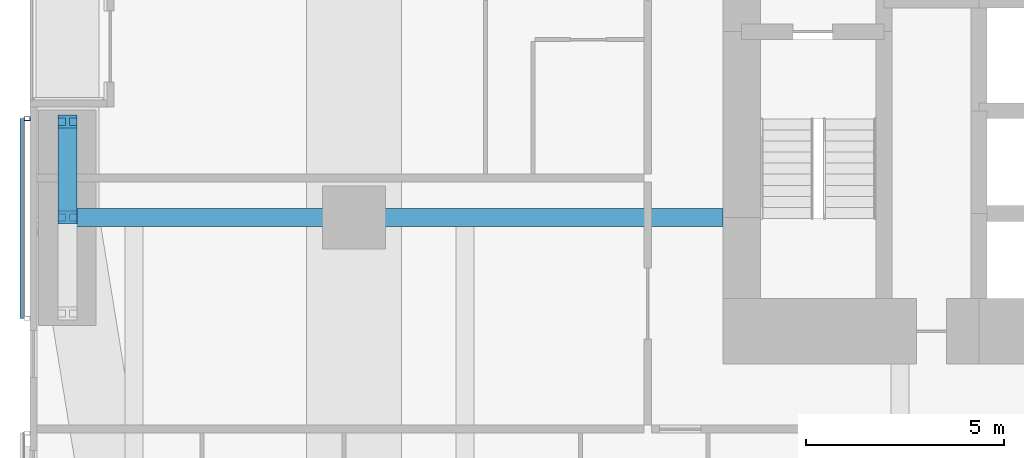
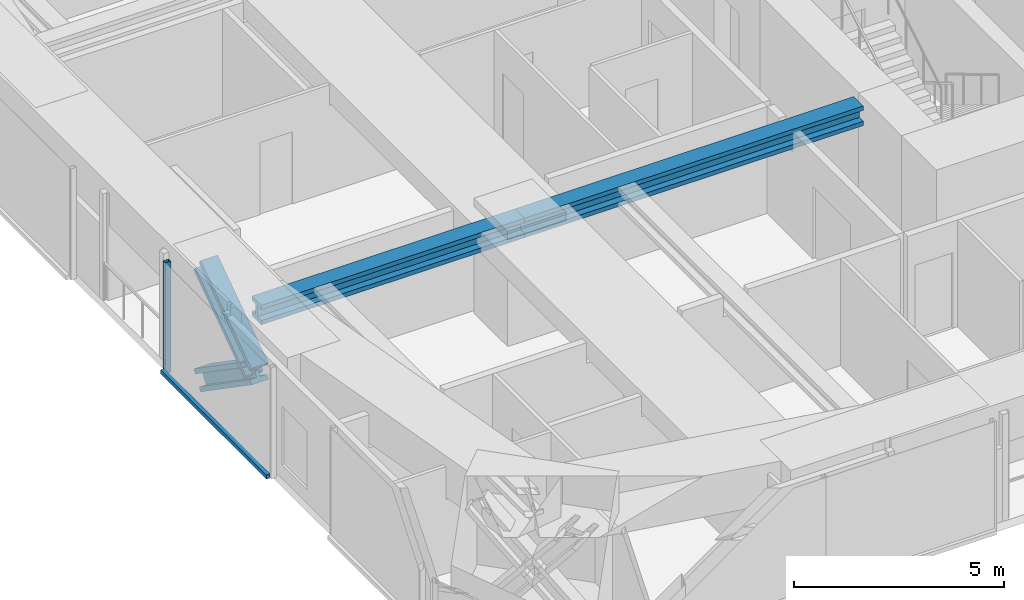
# One storey, part 3 of 23: 4 members, 2 beams, 1 element without a shape of its own.
"""IFC4 building model written with IfcOpenShell, lengths in metres."""

from ifc_helpers import new_model, si_unit, direction, frame, origin, origin_2d, place, context, subcontext, project, spatial, rectangle, hollow_rectangle, i_section, extrude, material, material_profile, profile_set, type_object, element, aggregate, save


model = new_model("IFC4")

# Units and contexts
model_context = context("Model", 3, precision=1e-05, world=origin(), true_north=direction((0.0, 1.0)))
body_context = subcontext(model_context, "Body", "Model", "MODEL_VIEW")
ifc_project = project(units=[si_unit("LENGTHUNIT", "METRE"), si_unit("AREAUNIT", "SQUARE_METRE"), si_unit("VOLUMEUNIT", "CUBIC_METRE"), si_unit("PLANEANGLEUNIT", "RADIAN"), si_unit("MASSUNIT", "GRAM", prefix="KILO")], contexts=[model_context])

# Site, building, storey
site_placement = place(None, origin())
site = spatial("IfcSite", under=ifc_project, at=site_placement, CompositionType="ELEMENT")
building_placement = place(site_placement, origin())
building = spatial("IfcBuilding", under=site, at=building_placement, Name="Jalousie Tower", CompositionType="ELEMENT")
storey_placement = place(building_placement, frame((0.0, 0.0, 34.39990234375)))
storey = spatial("IfcBuildingStorey", under=building, at=storey_placement, Name="L08", CompositionType="ELEMENT", Elevation=34.39990234375)

# Beams
ifc_material_1 = material(Name="Steel ASTM A992 Grade 50", Category="steel")
ifc_material_profile_1 = material_profile(ifc_material_1, i_section(OverallWidth=0.45458984375, OverallDepth=0.569091796875, WebThickness=0.077880859375, FlangeThickness=0.124755859375, at=origin_2d()), Name="W14X730")
ifc_profile_set_1 = profile_set([ifc_material_profile_1], Name="Steel ASTM A992 Grade 50")
beam_type = type_object("IfcBeamType", Name="LEAN COLLECTOR W14X730", PredefinedType="BEAM", material=ifc_profile_set_1)
beam_1_placement = place(storey_placement, frame((2.949951171875, 13.0, 2.82568359375), z_axis=(1.0, 0.0, 0.0), x_axis=(0.0, 1.0, 0.0)))
element("IfcBeam", 1, at=beam_1_placement, inside=storey, type_object=beam_type, Name="Lean collector under L09", PredefinedType="BEAM", context=body_context, shape_type="SweptSolid", body=[
    extrude(i_section(OverallWidth=0.45458984375, OverallDepth=0.569091796875, WebThickness=0.077880859375, FlangeThickness=0.124755859375, at=origin_2d()), origin(), (0.0, 0.0, 1.0), 7.25),
])
beam_2_placement = place(storey_placement, frame((10.199951171875, 13.0, 2.82568359375), z_axis=(1.0, 0.0, 0.0), x_axis=(0.0, 1.0, 0.0)))
element("IfcBeam", 2, at=beam_2_placement, inside=storey, type_object=beam_type, Name="Lean collector under L09", PredefinedType="BEAM", context=body_context, shape_type="SweptSolid", body=[
    extrude(i_section(OverallWidth=0.45458984375, OverallDepth=0.569091796875, WebThickness=0.077880859375, FlangeThickness=0.124755859375, at=origin_2d()), origin(), (0.0, 0.0, 1.0), 9.324951171875),
])

# Members
ifc_material_2 = material(Name="Steel ASTM A992 Grade 50", Category="steel")
ifc_material_profile_2 = material_profile(ifc_material_2, i_section(OverallWidth=0.472412109375, OverallDepth=0.5791015625, WebThickness=0.094970703125, FlangeThickness=0.1298828125, at=origin_2d()), Name="W14X808")
ifc_profile_set_2 = profile_set([ifc_material_profile_2], Name="Steel ASTM A992 Grade 50")
member_type_1 = type_object("IfcMemberType", Name="PERIMETER BRACE W14X808", PredefinedType="BRACE", material=ifc_profile_set_2)
for number, where, z_axis, x_axis, name in (
    (3, (2.949951171875, 13.0, 1.0751953125), (0.0, 0.82283879777, 0.568274856811), (-1.0, 0.0, 0.0), "Perimeter brace 14 L08 part 2"),
    (4, (2.949951171875, 15.425048828125, -0.599853515625), (0.0, -0.822800062329, 0.568330940062), (1.0, 0.0, 0.0), "Perimeter brace 14 L08 part 3"),
):
    element("IfcMember", number, at=place(storey_placement, frame(where, z_axis=z_axis, x_axis=x_axis)), inside=storey, type_object=member_type_1, Name=name, PredefinedType="BRACE", context=body_context, shape_type="SweptSolid", body=[
        extrude(i_section(OverallWidth=0.472412109375, OverallDepth=0.5791015625, WebThickness=0.094970703125, FlangeThickness=0.1298828125, at=origin_2d()), origin(), (0.0, 0.0, 1.0), 2.947265625),
    ])

# Curtain wall, members
ifc_material_3 = material(Name="Perforated aluminium sheet", Category="aluminium")
curtain_wall_type = type_object("IfcCurtainWallType", Name="SOLAR SCREEN SS-1", PredefinedType="USERDEFINED", material=ifc_material_3)
curtain_wall_placement = place(storey_placement, origin())
curtain_wall = element("IfcCurtainWall", 5, at=curtain_wall_placement, inside=storey, type_object=curtain_wall_type, Name="Solar screen L08", ObjectType="SOLAR SCREEN SS-1", PredefinedType="USERDEFINED")
ifc_material_4 = material(Name="Steel ASTM A500 Grade C", Category="steel")
ifc_material_profile_3 = material_profile(ifc_material_4, hollow_rectangle(XDim=0.1015625, YDim=0.15234375, WallThickness=0.00634765625, at=origin_2d()), Name="HSS6X4X1/4")
ifc_profile_set_3 = profile_set([ifc_material_profile_3], Name="Steel ASTM A500 Grade C")
member_type_2 = type_object("IfcMemberType", Name="SOLAR SCREEN SS-1 MULLION", PredefinedType="MULLION", material=ifc_profile_set_3)
member_1_placement = place(storey_placement, frame((1.9287109375, 15.5, -0.119873046875), z_axis=(0.0, 0.0, 1.0), x_axis=(0.0, -1.0, 0.0)))
member_1 = element("IfcMember", 6, at=member_1_placement, type_object=member_type_2, Name="SS1 post 1", PredefinedType="MULLION", context=body_context, shape_type="SweptSolid", body=[
    extrude(hollow_rectangle(XDim=0.1015625, YDim=0.15234375, WallThickness=0.00634765625, at=origin_2d()), origin(), (0.0, 0.0, 1.0), 3.22998046875),
])
ifc_material_5 = material(Name="Extruded aluminium screen rail", Category="aluminium")
ifc_material_profile_4 = material_profile(ifc_material_5, rectangle(XDim=0.1015625, YDim=0.1201171875, at=origin_2d()), Name="RAIL 102x120")
ifc_profile_set_4 = profile_set([ifc_material_profile_4], Name="Extruded aluminium screen rail")
member_type_3 = type_object("IfcMemberType", Name="SOLAR SCREEN SS-1 TRANSOM", PredefinedType="USERDEFINED", material=ifc_profile_set_4)
member_2_placement = place(storey_placement, frame((1.8017578125, 15.5, -0.059814453125), z_axis=(0.0, -1.0, 0.0), x_axis=(1.0, 0.0, 0.0)))
member_2 = element("IfcMember", 7, at=member_2_placement, type_object=member_type_3, Name="SS1 rail", ObjectType="TRANSOM", PredefinedType="USERDEFINED", context=body_context, shape_type="SweptSolid", body=[
    extrude(rectangle(XDim=0.1015625, YDim=0.1201171875, at=origin_2d()), origin(), (0.0, 0.0, 1.0), 5.050048828125),
])
aggregate(curtain_wall, [member_1, member_2])

save(model, "model.ifc")
